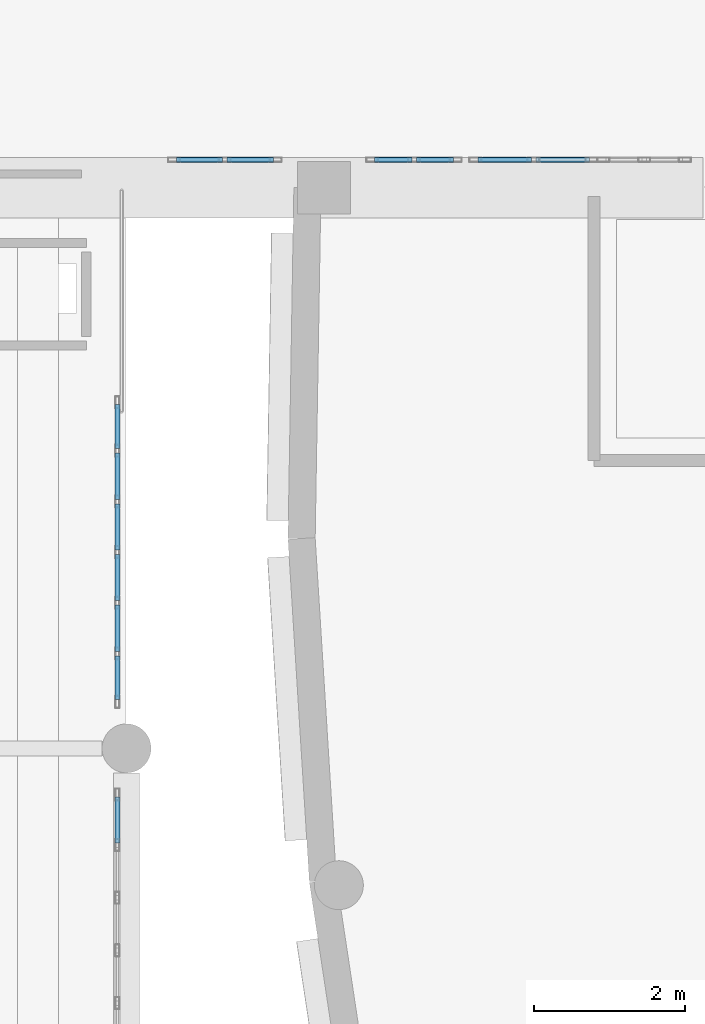
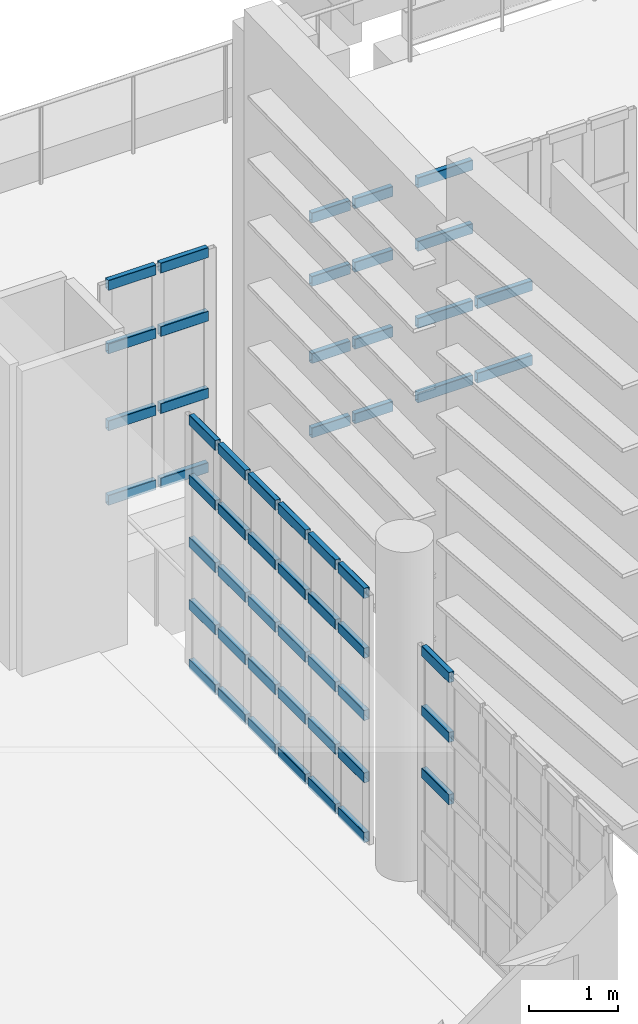
# One storey, part 37 of 73: 55 members, 5 elements without a shape of their own.
"""IFC4 building model written with IfcOpenShell, lengths in metres."""

from ifc_helpers import new_model, si_unit, direction, frame, origin, origin_2d, place, context, subcontext, project, spatial, hollow_rectangle, extrude, material, material_profile, profile_set, type_object, element, aggregate, save


model = new_model("IFC4")

# Units and contexts
model_context = context("Model", 3, precision=1e-05, world=origin(), true_north=direction((0.0, 1.0)))
body_context = subcontext(model_context, "Body", "Model", "MODEL_VIEW")
ifc_project = project(units=[si_unit("LENGTHUNIT", "METRE"), si_unit("AREAUNIT", "SQUARE_METRE"), si_unit("VOLUMEUNIT", "CUBIC_METRE"), si_unit("PLANEANGLEUNIT", "RADIAN"), si_unit("MASSUNIT", "GRAM", prefix="KILO")], contexts=[model_context])

# Site, building, storey
site_placement = place(None, origin())
site = spatial("IfcSite", under=ifc_project, at=site_placement, CompositionType="ELEMENT")
building_placement = place(site_placement, origin())
building = spatial("IfcBuilding", under=site, at=building_placement, Name="Kaelora Sail Theatre", CompositionType="ELEMENT")
storey_placement = place(building_placement, frame((0.0, 0.0, 10.199951171875)))
storey = spatial("IfcBuildingStorey", under=building, at=storey_placement, Name="L02", CompositionType="ELEMENT", Elevation=10.199951171875)

# Curtain wall, members
ifc_material_1 = material(Name="Anodised aluminium and solar-control low-E IGU", Category="aluminium")
curtain_wall_type = type_object("IfcCurtainWallType", Name="ARC-CW-CW-BRG", PredefinedType="NOTDEFINED", material=ifc_material_1)
curtain_wall_1_placement = place(storey_placement, origin())
curtain_wall_1 = element("IfcCurtainWall", 1, at=curtain_wall_1_placement, inside=storey, type_object=curtain_wall_type, Name="West Interstitial Foyer East Glazed Return L02-01", PredefinedType="NOTDEFINED")
ifc_material_2 = material(Name="Anodised aluminium 6063-T6", Category="aluminium")
ifc_material_profile = material_profile(ifc_material_2, hollow_rectangle(XDim=0.070068359375, YDim=0.139892578125, WallThickness=0.00390625, InnerFilletRadius=0.00390625, OuterFilletRadius=0.008056640625, at=origin_2d()), Name="ALU-TRAN 70x140x4")
ifc_profile_set = profile_set([ifc_material_profile], Name="Anodised aluminium 6063-T6")
member_type = type_object("IfcMemberType", Name="ARC-MEM-TR-140", PredefinedType="USERDEFINED", material=ifc_profile_set)
member_1_placement = place(storey_placement, frame((74.280029296875, 52.325927734375, 1.70361328125), z_axis=(0.0, 1.0, 0.0), x_axis=(-1.0, 0.0, 0.0)))
member_1 = element("IfcMember", 2, at=member_1_placement, type_object=member_type, Name="CW-BRG transom 6.3", ObjectType="TRANSOM", PredefinedType="USERDEFINED", context=body_context, shape_type="SweptSolid", body=[
    extrude(hollow_rectangle(XDim=0.070068359375, YDim=0.139892578125, WallThickness=0.00390625, InnerFilletRadius=0.00390625, OuterFilletRadius=0.008056640625, at=origin_2d()), origin(), (0.0, 0.0, 1.0), 0.609130859375),
])
member_2_placement = place(storey_placement, frame((74.280029296875, 52.325927734375, 2.555419921875), z_axis=(0.0, 1.0, 0.0), x_axis=(-1.0, 0.0, 0.0)))
member_2 = element("IfcMember", 3, at=member_2_placement, type_object=member_type, Name="CW-BRG transom 6.4", ObjectType="TRANSOM", PredefinedType="USERDEFINED", context=body_context, shape_type="SweptSolid", body=[
    extrude(hollow_rectangle(XDim=0.070068359375, YDim=0.139892578125, WallThickness=0.00390625, InnerFilletRadius=0.00390625, OuterFilletRadius=0.008056640625, at=origin_2d()), origin(), (0.0, 0.0, 1.0), 0.609130859375),
])
member_3_placement = place(storey_placement, frame((74.280029296875, 52.325927734375, 3.3720703125), z_axis=(0.0, 1.0, 0.0), x_axis=(-1.0, 0.0, 0.0)))
member_3 = element("IfcMember", 4, at=member_3_placement, type_object=member_type, Name="CW-BRG transom 6.5", ObjectType="TRANSOM", PredefinedType="USERDEFINED", context=body_context, shape_type="SweptSolid", body=[
    extrude(hollow_rectangle(XDim=0.070068359375, YDim=0.139892578125, WallThickness=0.00390625, InnerFilletRadius=0.00390625, OuterFilletRadius=0.008056640625, at=origin_2d()), origin(), (0.0, 0.0, 1.0), 0.609130859375),
])
aggregate(curtain_wall_1, [member_1, member_2, member_3])

curtain_wall_2_placement = place(storey_placement, origin())
curtain_wall_2 = element("IfcCurtainWall", 5, at=curtain_wall_2_placement, inside=storey, type_object=curtain_wall_type, Name="West Interstitial Foyer East Glazed Return L02-02", PredefinedType="NOTDEFINED")
member_4_placement = place(storey_placement, frame((74.280029296875, 54.22509765625, 0.03515625), z_axis=(0.0, 1.0, 0.0), x_axis=(-1.0, 0.0, 0.0)))
member_4 = element("IfcMember", 6, at=member_4_placement, type_object=member_type, Name="CW-BRG transom 1.1", ObjectType="TRANSOM", PredefinedType="USERDEFINED", context=body_context, shape_type="SweptSolid", body=[
    extrude(hollow_rectangle(XDim=0.070068359375, YDim=0.139892578125, WallThickness=0.00390625, InnerFilletRadius=0.00390625, OuterFilletRadius=0.008056640625, at=origin_2d()), origin(), (0.0, 0.0, 1.0), 0.58251953125),
])
member_5_placement = place(storey_placement, frame((74.280029296875, 54.22509765625, 0.851806640625), z_axis=(0.0, 1.0, 0.0), x_axis=(-1.0, 0.0, 0.0)))
member_5 = element("IfcMember", 7, at=member_5_placement, type_object=member_type, Name="CW-BRG transom 1.2", ObjectType="TRANSOM", PredefinedType="USERDEFINED", context=body_context, shape_type="SweptSolid", body=[
    extrude(hollow_rectangle(XDim=0.070068359375, YDim=0.139892578125, WallThickness=0.00390625, InnerFilletRadius=0.00390625, OuterFilletRadius=0.008056640625, at=origin_2d()), origin(), (0.0, 0.0, 1.0), 0.58251953125),
])
member_6_placement = place(storey_placement, frame((74.280029296875, 54.22509765625, 1.70361328125), z_axis=(0.0, 1.0, 0.0), x_axis=(-1.0, 0.0, 0.0)))
member_6 = element("IfcMember", 8, at=member_6_placement, type_object=member_type, Name="CW-BRG transom 1.3", ObjectType="TRANSOM", PredefinedType="USERDEFINED", context=body_context, shape_type="SweptSolid", body=[
    extrude(hollow_rectangle(XDim=0.070068359375, YDim=0.139892578125, WallThickness=0.00390625, InnerFilletRadius=0.00390625, OuterFilletRadius=0.008056640625, at=origin_2d()), origin(), (0.0, 0.0, 1.0), 0.58251953125),
])
member_7_placement = place(storey_placement, frame((74.280029296875, 54.22509765625, 2.555419921875), z_axis=(0.0, 1.0, 0.0), x_axis=(-1.0, 0.0, 0.0)))
member_7 = element("IfcMember", 9, at=member_7_placement, type_object=member_type, Name="CW-BRG transom 1.4", ObjectType="TRANSOM", PredefinedType="USERDEFINED", context=body_context, shape_type="SweptSolid", body=[
    extrude(hollow_rectangle(XDim=0.070068359375, YDim=0.139892578125, WallThickness=0.00390625, InnerFilletRadius=0.00390625, OuterFilletRadius=0.008056640625, at=origin_2d()), origin(), (0.0, 0.0, 1.0), 0.58251953125),
])
member_8_placement = place(storey_placement, frame((74.280029296875, 54.22509765625, 3.3720703125), z_axis=(0.0, 1.0, 0.0), x_axis=(-1.0, 0.0, 0.0)))
member_8 = element("IfcMember", 10, at=member_8_placement, type_object=member_type, Name="CW-BRG transom 1.5", ObjectType="TRANSOM", PredefinedType="USERDEFINED", context=body_context, shape_type="SweptSolid", body=[
    extrude(hollow_rectangle(XDim=0.070068359375, YDim=0.139892578125, WallThickness=0.00390625, InnerFilletRadius=0.00390625, OuterFilletRadius=0.008056640625, at=origin_2d()), origin(), (0.0, 0.0, 1.0), 0.58251953125),
])
member_9_placement = place(storey_placement, frame((74.280029296875, 54.867431640625, 0.03515625), z_axis=(0.0, 1.0, 0.0), x_axis=(-1.0, 0.0, 0.0)))
member_9 = element("IfcMember", 11, at=member_9_placement, type_object=member_type, Name="CW-BRG transom 2.1", ObjectType="TRANSOM", PredefinedType="USERDEFINED", context=body_context, shape_type="SweptSolid", body=[
    extrude(hollow_rectangle(XDim=0.070068359375, YDim=0.139892578125, WallThickness=0.00390625, InnerFilletRadius=0.00390625, OuterFilletRadius=0.008056640625, at=origin_2d()), origin(), (0.0, 0.0, 1.0), 0.612548828125),
])
member_10_placement = place(storey_placement, frame((74.280029296875, 54.867431640625, 0.851806640625), z_axis=(0.0, 1.0, 0.0), x_axis=(-1.0, 0.0, 0.0)))
member_10 = element("IfcMember", 12, at=member_10_placement, type_object=member_type, Name="CW-BRG transom 2.2", ObjectType="TRANSOM", PredefinedType="USERDEFINED", context=body_context, shape_type="SweptSolid", body=[
    extrude(hollow_rectangle(XDim=0.070068359375, YDim=0.139892578125, WallThickness=0.00390625, InnerFilletRadius=0.00390625, OuterFilletRadius=0.008056640625, at=origin_2d()), origin(), (0.0, 0.0, 1.0), 0.612548828125),
])
member_11_placement = place(storey_placement, frame((74.280029296875, 54.867431640625, 1.70361328125), z_axis=(0.0, 1.0, 0.0), x_axis=(-1.0, 0.0, 0.0)))
member_11 = element("IfcMember", 13, at=member_11_placement, type_object=member_type, Name="CW-BRG transom 2.3", ObjectType="TRANSOM", PredefinedType="USERDEFINED", context=body_context, shape_type="SweptSolid", body=[
    extrude(hollow_rectangle(XDim=0.070068359375, YDim=0.139892578125, WallThickness=0.00390625, InnerFilletRadius=0.00390625, OuterFilletRadius=0.008056640625, at=origin_2d()), origin(), (0.0, 0.0, 1.0), 0.612548828125),
])
member_12_placement = place(storey_placement, frame((74.280029296875, 54.867431640625, 2.555419921875), z_axis=(0.0, 1.0, 0.0), x_axis=(-1.0, 0.0, 0.0)))
member_12 = element("IfcMember", 14, at=member_12_placement, type_object=member_type, Name="CW-BRG transom 2.4", ObjectType="TRANSOM", PredefinedType="USERDEFINED", context=body_context, shape_type="SweptSolid", body=[
    extrude(hollow_rectangle(XDim=0.070068359375, YDim=0.139892578125, WallThickness=0.00390625, InnerFilletRadius=0.00390625, OuterFilletRadius=0.008056640625, at=origin_2d()), origin(), (0.0, 0.0, 1.0), 0.612548828125),
])
member_13_placement = place(storey_placement, frame((74.280029296875, 54.867431640625, 3.3720703125), z_axis=(0.0, 1.0, 0.0), x_axis=(-1.0, 0.0, 0.0)))
member_13 = element("IfcMember", 15, at=member_13_placement, type_object=member_type, Name="CW-BRG transom 2.5", ObjectType="TRANSOM", PredefinedType="USERDEFINED", context=body_context, shape_type="SweptSolid", body=[
    extrude(hollow_rectangle(XDim=0.070068359375, YDim=0.139892578125, WallThickness=0.00390625, InnerFilletRadius=0.00390625, OuterFilletRadius=0.008056640625, at=origin_2d()), origin(), (0.0, 0.0, 1.0), 0.612548828125),
])
member_14_placement = place(storey_placement, frame((74.280029296875, 55.5400390625, 0.03515625), z_axis=(0.0, 1.0, 0.0), x_axis=(-1.0, 0.0, 0.0)))
member_14 = element("IfcMember", 16, at=member_14_placement, type_object=member_type, Name="CW-BRG transom 3.1", ObjectType="TRANSOM", PredefinedType="USERDEFINED", context=body_context, shape_type="SweptSolid", body=[
    extrude(hollow_rectangle(XDim=0.070068359375, YDim=0.139892578125, WallThickness=0.00390625, InnerFilletRadius=0.00390625, OuterFilletRadius=0.008056640625, at=origin_2d()), origin(), (0.0, 0.0, 1.0), 0.612548828125),
])
member_15_placement = place(storey_placement, frame((74.280029296875, 55.5400390625, 0.851806640625), z_axis=(0.0, 1.0, 0.0), x_axis=(-1.0, 0.0, 0.0)))
member_15 = element("IfcMember", 17, at=member_15_placement, type_object=member_type, Name="CW-BRG transom 3.2", ObjectType="TRANSOM", PredefinedType="USERDEFINED", context=body_context, shape_type="SweptSolid", body=[
    extrude(hollow_rectangle(XDim=0.070068359375, YDim=0.139892578125, WallThickness=0.00390625, InnerFilletRadius=0.00390625, OuterFilletRadius=0.008056640625, at=origin_2d()), origin(), (0.0, 0.0, 1.0), 0.612548828125),
])
member_16_placement = place(storey_placement, frame((74.280029296875, 55.5400390625, 1.70361328125), z_axis=(0.0, 1.0, 0.0), x_axis=(-1.0, 0.0, 0.0)))
member_16 = element("IfcMember", 18, at=member_16_placement, type_object=member_type, Name="CW-BRG transom 3.3", ObjectType="TRANSOM", PredefinedType="USERDEFINED", context=body_context, shape_type="SweptSolid", body=[
    extrude(hollow_rectangle(XDim=0.070068359375, YDim=0.139892578125, WallThickness=0.00390625, InnerFilletRadius=0.00390625, OuterFilletRadius=0.008056640625, at=origin_2d()), origin(), (0.0, 0.0, 1.0), 0.612548828125),
])
member_17_placement = place(storey_placement, frame((74.280029296875, 55.5400390625, 2.555419921875), z_axis=(0.0, 1.0, 0.0), x_axis=(-1.0, 0.0, 0.0)))
member_17 = element("IfcMember", 19, at=member_17_placement, type_object=member_type, Name="CW-BRG transom 3.4", ObjectType="TRANSOM", PredefinedType="USERDEFINED", context=body_context, shape_type="SweptSolid", body=[
    extrude(hollow_rectangle(XDim=0.070068359375, YDim=0.139892578125, WallThickness=0.00390625, InnerFilletRadius=0.00390625, OuterFilletRadius=0.008056640625, at=origin_2d()), origin(), (0.0, 0.0, 1.0), 0.612548828125),
])
member_18_placement = place(storey_placement, frame((74.280029296875, 55.5400390625, 3.3720703125), z_axis=(0.0, 1.0, 0.0), x_axis=(-1.0, 0.0, 0.0)))
member_18 = element("IfcMember", 20, at=member_18_placement, type_object=member_type, Name="CW-BRG transom 3.5", ObjectType="TRANSOM", PredefinedType="USERDEFINED", context=body_context, shape_type="SweptSolid", body=[
    extrude(hollow_rectangle(XDim=0.070068359375, YDim=0.139892578125, WallThickness=0.00390625, InnerFilletRadius=0.00390625, OuterFilletRadius=0.008056640625, at=origin_2d()), origin(), (0.0, 0.0, 1.0), 0.612548828125),
])
member_19_placement = place(storey_placement, frame((74.280029296875, 56.21240234375, 0.03515625), z_axis=(0.0, 1.0, 0.0), x_axis=(-1.0, 0.0, 0.0)))
member_19 = element("IfcMember", 21, at=member_19_placement, type_object=member_type, Name="CW-BRG transom 4.1", ObjectType="TRANSOM", PredefinedType="USERDEFINED", context=body_context, shape_type="SweptSolid", body=[
    extrude(hollow_rectangle(XDim=0.070068359375, YDim=0.139892578125, WallThickness=0.00390625, InnerFilletRadius=0.00390625, OuterFilletRadius=0.008056640625, at=origin_2d()), origin(), (0.0, 0.0, 1.0), 0.612548828125),
])
member_20_placement = place(storey_placement, frame((74.280029296875, 56.21240234375, 0.851806640625), z_axis=(0.0, 1.0, 0.0), x_axis=(-1.0, 0.0, 0.0)))
member_20 = element("IfcMember", 22, at=member_20_placement, type_object=member_type, Name="CW-BRG transom 4.2", ObjectType="TRANSOM", PredefinedType="USERDEFINED", context=body_context, shape_type="SweptSolid", body=[
    extrude(hollow_rectangle(XDim=0.070068359375, YDim=0.139892578125, WallThickness=0.00390625, InnerFilletRadius=0.00390625, OuterFilletRadius=0.008056640625, at=origin_2d()), origin(), (0.0, 0.0, 1.0), 0.612548828125),
])
member_21_placement = place(storey_placement, frame((74.280029296875, 56.21240234375, 1.70361328125), z_axis=(0.0, 1.0, 0.0), x_axis=(-1.0, 0.0, 0.0)))
member_21 = element("IfcMember", 23, at=member_21_placement, type_object=member_type, Name="CW-BRG transom 4.3", ObjectType="TRANSOM", PredefinedType="USERDEFINED", context=body_context, shape_type="SweptSolid", body=[
    extrude(hollow_rectangle(XDim=0.070068359375, YDim=0.139892578125, WallThickness=0.00390625, InnerFilletRadius=0.00390625, OuterFilletRadius=0.008056640625, at=origin_2d()), origin(), (0.0, 0.0, 1.0), 0.612548828125),
])
member_22_placement = place(storey_placement, frame((74.280029296875, 56.21240234375, 2.555419921875), z_axis=(0.0, 1.0, 0.0), x_axis=(-1.0, 0.0, 0.0)))
member_22 = element("IfcMember", 24, at=member_22_placement, type_object=member_type, Name="CW-BRG transom 4.4", ObjectType="TRANSOM", PredefinedType="USERDEFINED", context=body_context, shape_type="SweptSolid", body=[
    extrude(hollow_rectangle(XDim=0.070068359375, YDim=0.139892578125, WallThickness=0.00390625, InnerFilletRadius=0.00390625, OuterFilletRadius=0.008056640625, at=origin_2d()), origin(), (0.0, 0.0, 1.0), 0.612548828125),
])
member_23_placement = place(storey_placement, frame((74.280029296875, 56.21240234375, 3.3720703125), z_axis=(0.0, 1.0, 0.0), x_axis=(-1.0, 0.0, 0.0)))
member_23 = element("IfcMember", 25, at=member_23_placement, type_object=member_type, Name="CW-BRG transom 4.5", ObjectType="TRANSOM", PredefinedType="USERDEFINED", context=body_context, shape_type="SweptSolid", body=[
    extrude(hollow_rectangle(XDim=0.070068359375, YDim=0.139892578125, WallThickness=0.00390625, InnerFilletRadius=0.00390625, OuterFilletRadius=0.008056640625, at=origin_2d()), origin(), (0.0, 0.0, 1.0), 0.612548828125),
])
member_24_placement = place(storey_placement, frame((74.280029296875, 56.885009765625, 0.03515625), z_axis=(0.0, 1.0, 0.0), x_axis=(-1.0, 0.0, 0.0)))
member_24 = element("IfcMember", 26, at=member_24_placement, type_object=member_type, Name="CW-BRG transom 5.1", ObjectType="TRANSOM", PredefinedType="USERDEFINED", context=body_context, shape_type="SweptSolid", body=[
    extrude(hollow_rectangle(XDim=0.070068359375, YDim=0.139892578125, WallThickness=0.00390625, InnerFilletRadius=0.00390625, OuterFilletRadius=0.008056640625, at=origin_2d()), origin(), (0.0, 0.0, 1.0), 0.612548828125),
])
member_25_placement = place(storey_placement, frame((74.280029296875, 56.885009765625, 0.851806640625), z_axis=(0.0, 1.0, 0.0), x_axis=(-1.0, 0.0, 0.0)))
member_25 = element("IfcMember", 27, at=member_25_placement, type_object=member_type, Name="CW-BRG transom 5.2", ObjectType="TRANSOM", PredefinedType="USERDEFINED", context=body_context, shape_type="SweptSolid", body=[
    extrude(hollow_rectangle(XDim=0.070068359375, YDim=0.139892578125, WallThickness=0.00390625, InnerFilletRadius=0.00390625, OuterFilletRadius=0.008056640625, at=origin_2d()), origin(), (0.0, 0.0, 1.0), 0.612548828125),
])
member_26_placement = place(storey_placement, frame((74.280029296875, 56.885009765625, 1.70361328125), z_axis=(0.0, 1.0, 0.0), x_axis=(-1.0, 0.0, 0.0)))
member_26 = element("IfcMember", 28, at=member_26_placement, type_object=member_type, Name="CW-BRG transom 5.3", ObjectType="TRANSOM", PredefinedType="USERDEFINED", context=body_context, shape_type="SweptSolid", body=[
    extrude(hollow_rectangle(XDim=0.070068359375, YDim=0.139892578125, WallThickness=0.00390625, InnerFilletRadius=0.00390625, OuterFilletRadius=0.008056640625, at=origin_2d()), origin(), (0.0, 0.0, 1.0), 0.612548828125),
])
member_27_placement = place(storey_placement, frame((74.280029296875, 56.885009765625, 2.555419921875), z_axis=(0.0, 1.0, 0.0), x_axis=(-1.0, 0.0, 0.0)))
member_27 = element("IfcMember", 29, at=member_27_placement, type_object=member_type, Name="CW-BRG transom 5.4", ObjectType="TRANSOM", PredefinedType="USERDEFINED", context=body_context, shape_type="SweptSolid", body=[
    extrude(hollow_rectangle(XDim=0.070068359375, YDim=0.139892578125, WallThickness=0.00390625, InnerFilletRadius=0.00390625, OuterFilletRadius=0.008056640625, at=origin_2d()), origin(), (0.0, 0.0, 1.0), 0.612548828125),
])
member_28_placement = place(storey_placement, frame((74.280029296875, 56.885009765625, 3.3720703125), z_axis=(0.0, 1.0, 0.0), x_axis=(-1.0, 0.0, 0.0)))
member_28 = element("IfcMember", 30, at=member_28_placement, type_object=member_type, Name="CW-BRG transom 5.5", ObjectType="TRANSOM", PredefinedType="USERDEFINED", context=body_context, shape_type="SweptSolid", body=[
    extrude(hollow_rectangle(XDim=0.070068359375, YDim=0.139892578125, WallThickness=0.00390625, InnerFilletRadius=0.00390625, OuterFilletRadius=0.008056640625, at=origin_2d()), origin(), (0.0, 0.0, 1.0), 0.612548828125),
])
member_29_placement = place(storey_placement, frame((74.280029296875, 57.5576171875, 0.03515625), z_axis=(0.0, 1.0, 0.0), x_axis=(-1.0, 0.0, 0.0)))
member_29 = element("IfcMember", 31, at=member_29_placement, type_object=member_type, Name="CW-BRG transom 6.1", ObjectType="TRANSOM", PredefinedType="USERDEFINED", context=body_context, shape_type="SweptSolid", body=[
    extrude(hollow_rectangle(XDim=0.070068359375, YDim=0.139892578125, WallThickness=0.00390625, InnerFilletRadius=0.00390625, OuterFilletRadius=0.008056640625, at=origin_2d()), origin(), (0.0, 0.0, 1.0), 0.582275390625),
])
member_30_placement = place(storey_placement, frame((74.280029296875, 57.5576171875, 0.851806640625), z_axis=(0.0, 1.0, 0.0), x_axis=(-1.0, 0.0, 0.0)))
member_30 = element("IfcMember", 32, at=member_30_placement, type_object=member_type, Name="CW-BRG transom 6.2", ObjectType="TRANSOM", PredefinedType="USERDEFINED", context=body_context, shape_type="SweptSolid", body=[
    extrude(hollow_rectangle(XDim=0.070068359375, YDim=0.139892578125, WallThickness=0.00390625, InnerFilletRadius=0.00390625, OuterFilletRadius=0.008056640625, at=origin_2d()), origin(), (0.0, 0.0, 1.0), 0.582275390625),
])
member_31_placement = place(storey_placement, frame((74.280029296875, 57.5576171875, 1.70361328125), z_axis=(0.0, 1.0, 0.0), x_axis=(-1.0, 0.0, 0.0)))
member_31 = element("IfcMember", 33, at=member_31_placement, type_object=member_type, Name="CW-BRG transom 6.3", ObjectType="TRANSOM", PredefinedType="USERDEFINED", context=body_context, shape_type="SweptSolid", body=[
    extrude(hollow_rectangle(XDim=0.070068359375, YDim=0.139892578125, WallThickness=0.00390625, InnerFilletRadius=0.00390625, OuterFilletRadius=0.008056640625, at=origin_2d()), origin(), (0.0, 0.0, 1.0), 0.582275390625),
])
member_32_placement = place(storey_placement, frame((74.280029296875, 57.5576171875, 2.555419921875), z_axis=(0.0, 1.0, 0.0), x_axis=(-1.0, 0.0, 0.0)))
member_32 = element("IfcMember", 34, at=member_32_placement, type_object=member_type, Name="CW-BRG transom 6.4", ObjectType="TRANSOM", PredefinedType="USERDEFINED", context=body_context, shape_type="SweptSolid", body=[
    extrude(hollow_rectangle(XDim=0.070068359375, YDim=0.139892578125, WallThickness=0.00390625, InnerFilletRadius=0.00390625, OuterFilletRadius=0.008056640625, at=origin_2d()), origin(), (0.0, 0.0, 1.0), 0.582275390625),
])
member_33_placement = place(storey_placement, frame((74.280029296875, 57.5576171875, 3.3720703125), z_axis=(0.0, 1.0, 0.0), x_axis=(-1.0, 0.0, 0.0)))
member_33 = element("IfcMember", 35, at=member_33_placement, type_object=member_type, Name="CW-BRG transom 6.5", ObjectType="TRANSOM", PredefinedType="USERDEFINED", context=body_context, shape_type="SweptSolid", body=[
    extrude(hollow_rectangle(XDim=0.070068359375, YDim=0.139892578125, WallThickness=0.00390625, InnerFilletRadius=0.00390625, OuterFilletRadius=0.008056640625, at=origin_2d()), origin(), (0.0, 0.0, 1.0), 0.582275390625),
])
aggregate(curtain_wall_2, [member_4, member_5, member_6, member_7, member_8, member_9, member_10, member_11, member_12, member_13, member_14, member_15, member_16, member_17, member_18, member_19, member_20, member_21, member_22, member_23, member_24, member_25, member_26, member_27, member_28, member_29, member_30, member_31, member_32, member_33])

curtain_wall_3_placement = place(storey_placement, origin())
curtain_wall_3 = element("IfcCurtainWall", 36, at=curtain_wall_3_placement, inside=storey, type_object=curtain_wall_type, Name="Glazed Foyer/Conservatory Curtain Wall FC1-S-L02-01", PredefinedType="NOTDEFINED")
member_34_placement = place(storey_placement, frame((75.06005859375, 61.389892578125, 0.03515625), z_axis=(1.0, 0.0, 0.0), x_axis=(0.0, 1.0, 0.0)))
member_34 = element("IfcMember", 37, at=member_34_placement, type_object=member_type, Name="CW-BRG transom 1.1", ObjectType="TRANSOM", PredefinedType="USERDEFINED", context=body_context, shape_type="SweptSolid", body=[
    extrude(hollow_rectangle(XDim=0.070068359375, YDim=0.139892578125, WallThickness=0.00390625, InnerFilletRadius=0.00390625, OuterFilletRadius=0.008056640625, at=origin_2d()), origin(), (0.0, 0.0, 1.0), 0.614990234375),
])
member_35_placement = place(storey_placement, frame((75.06005859375, 61.389892578125, 1.052490234375), z_axis=(1.0, 0.0, 0.0), x_axis=(0.0, 1.0, 0.0)))
member_35 = element("IfcMember", 38, at=member_35_placement, type_object=member_type, Name="CW-BRG transom 1.2", ObjectType="TRANSOM", PredefinedType="USERDEFINED", context=body_context, shape_type="SweptSolid", body=[
    extrude(hollow_rectangle(XDim=0.070068359375, YDim=0.139892578125, WallThickness=0.00390625, InnerFilletRadius=0.00390625, OuterFilletRadius=0.008056640625, at=origin_2d()), origin(), (0.0, 0.0, 1.0), 0.614990234375),
])
member_36_placement = place(storey_placement, frame((75.06005859375, 61.389892578125, 2.10498046875), z_axis=(1.0, 0.0, 0.0), x_axis=(0.0, 1.0, 0.0)))
member_36 = element("IfcMember", 39, at=member_36_placement, type_object=member_type, Name="CW-BRG transom 1.3", ObjectType="TRANSOM", PredefinedType="USERDEFINED", context=body_context, shape_type="SweptSolid", body=[
    extrude(hollow_rectangle(XDim=0.070068359375, YDim=0.139892578125, WallThickness=0.00390625, InnerFilletRadius=0.00390625, OuterFilletRadius=0.008056640625, at=origin_2d()), origin(), (0.0, 0.0, 1.0), 0.614990234375),
])
member_37_placement = place(storey_placement, frame((75.06005859375, 61.389892578125, 2.97216796875), z_axis=(1.0, 0.0, 0.0), x_axis=(0.0, 1.0, 0.0)))
member_37 = element("IfcMember", 40, at=member_37_placement, type_object=member_type, Name="CW-BRG transom 1.4", ObjectType="TRANSOM", PredefinedType="USERDEFINED", context=body_context, shape_type="SweptSolid", body=[
    extrude(hollow_rectangle(XDim=0.070068359375, YDim=0.139892578125, WallThickness=0.00390625, InnerFilletRadius=0.00390625, OuterFilletRadius=0.008056640625, at=origin_2d()), origin(), (0.0, 0.0, 1.0), 0.614990234375),
])
member_38_placement = place(storey_placement, frame((75.735107421875, 61.389892578125, 0.03515625), z_axis=(1.0, 0.0, 0.0), x_axis=(0.0, 1.0, 0.0)))
member_38 = element("IfcMember", 41, at=member_38_placement, type_object=member_type, Name="CW-BRG transom 2.1", ObjectType="TRANSOM", PredefinedType="USERDEFINED", context=body_context, shape_type="SweptSolid", body=[
    extrude(hollow_rectangle(XDim=0.070068359375, YDim=0.139892578125, WallThickness=0.00390625, InnerFilletRadius=0.00390625, OuterFilletRadius=0.008056640625, at=origin_2d()), origin(), (0.0, 0.0, 1.0), 0.614990234375),
])
member_39_placement = place(storey_placement, frame((75.735107421875, 61.389892578125, 1.052490234375), z_axis=(1.0, 0.0, 0.0), x_axis=(0.0, 1.0, 0.0)))
member_39 = element("IfcMember", 42, at=member_39_placement, type_object=member_type, Name="CW-BRG transom 2.2", ObjectType="TRANSOM", PredefinedType="USERDEFINED", context=body_context, shape_type="SweptSolid", body=[
    extrude(hollow_rectangle(XDim=0.070068359375, YDim=0.139892578125, WallThickness=0.00390625, InnerFilletRadius=0.00390625, OuterFilletRadius=0.008056640625, at=origin_2d()), origin(), (0.0, 0.0, 1.0), 0.614990234375),
])
member_40_placement = place(storey_placement, frame((75.735107421875, 61.389892578125, 2.10498046875), z_axis=(1.0, 0.0, 0.0), x_axis=(0.0, 1.0, 0.0)))
member_40 = element("IfcMember", 43, at=member_40_placement, type_object=member_type, Name="CW-BRG transom 2.3", ObjectType="TRANSOM", PredefinedType="USERDEFINED", context=body_context, shape_type="SweptSolid", body=[
    extrude(hollow_rectangle(XDim=0.070068359375, YDim=0.139892578125, WallThickness=0.00390625, InnerFilletRadius=0.00390625, OuterFilletRadius=0.008056640625, at=origin_2d()), origin(), (0.0, 0.0, 1.0), 0.614990234375),
])
member_41_placement = place(storey_placement, frame((75.735107421875, 61.389892578125, 2.97216796875), z_axis=(1.0, 0.0, 0.0), x_axis=(0.0, 1.0, 0.0)))
member_41 = element("IfcMember", 44, at=member_41_placement, type_object=member_type, Name="CW-BRG transom 2.4", ObjectType="TRANSOM", PredefinedType="USERDEFINED", context=body_context, shape_type="SweptSolid", body=[
    extrude(hollow_rectangle(XDim=0.070068359375, YDim=0.139892578125, WallThickness=0.00390625, InnerFilletRadius=0.00390625, OuterFilletRadius=0.008056640625, at=origin_2d()), origin(), (0.0, 0.0, 1.0), 0.614990234375),
])
aggregate(curtain_wall_3, [member_34, member_35, member_36, member_37, member_38, member_39, member_40, member_41])

curtain_wall_4_placement = place(storey_placement, origin())
curtain_wall_4 = element("IfcCurtainWall", 45, at=curtain_wall_4_placement, inside=storey, type_object=curtain_wall_type, Name="Glazed Foyer/Conservatory Curtain Wall FC1-S-L02-02", PredefinedType="NOTDEFINED")
member_42_placement = place(storey_placement, frame((77.68994140625, 61.389892578125, 0.03515625), z_axis=(1.0, 0.0, 0.0), x_axis=(0.0, 1.0, 0.0)))
member_42 = element("IfcMember", 46, at=member_42_placement, type_object=member_type, Name="CW-BRG transom 1.1", ObjectType="TRANSOM", PredefinedType="USERDEFINED", context=body_context, shape_type="SweptSolid", body=[
    extrude(hollow_rectangle(XDim=0.070068359375, YDim=0.139892578125, WallThickness=0.00390625, InnerFilletRadius=0.00390625, OuterFilletRadius=0.008056640625, at=origin_2d()), origin(), (0.0, 0.0, 1.0), 0.4951171875),
])
member_43_placement = place(storey_placement, frame((77.68994140625, 61.389892578125, 1.052490234375), z_axis=(1.0, 0.0, 0.0), x_axis=(0.0, 1.0, 0.0)))
member_43 = element("IfcMember", 47, at=member_43_placement, type_object=member_type, Name="CW-BRG transom 1.2", ObjectType="TRANSOM", PredefinedType="USERDEFINED", context=body_context, shape_type="SweptSolid", body=[
    extrude(hollow_rectangle(XDim=0.070068359375, YDim=0.139892578125, WallThickness=0.00390625, InnerFilletRadius=0.00390625, OuterFilletRadius=0.008056640625, at=origin_2d()), origin(), (0.0, 0.0, 1.0), 0.4951171875),
])
member_44_placement = place(storey_placement, frame((77.68994140625, 61.389892578125, 2.10498046875), z_axis=(1.0, 0.0, 0.0), x_axis=(0.0, 1.0, 0.0)))
member_44 = element("IfcMember", 48, at=member_44_placement, type_object=member_type, Name="CW-BRG transom 1.3", ObjectType="TRANSOM", PredefinedType="USERDEFINED", context=body_context, shape_type="SweptSolid", body=[
    extrude(hollow_rectangle(XDim=0.070068359375, YDim=0.139892578125, WallThickness=0.00390625, InnerFilletRadius=0.00390625, OuterFilletRadius=0.008056640625, at=origin_2d()), origin(), (0.0, 0.0, 1.0), 0.4951171875),
])
member_45_placement = place(storey_placement, frame((77.68994140625, 61.389892578125, 2.97216796875), z_axis=(1.0, 0.0, 0.0), x_axis=(0.0, 1.0, 0.0)))
member_45 = element("IfcMember", 49, at=member_45_placement, type_object=member_type, Name="CW-BRG transom 1.4", ObjectType="TRANSOM", PredefinedType="USERDEFINED", context=body_context, shape_type="SweptSolid", body=[
    extrude(hollow_rectangle(XDim=0.070068359375, YDim=0.139892578125, WallThickness=0.00390625, InnerFilletRadius=0.00390625, OuterFilletRadius=0.008056640625, at=origin_2d()), origin(), (0.0, 0.0, 1.0), 0.4951171875),
])
member_46_placement = place(storey_placement, frame((78.2451171875, 61.389892578125, 0.03515625), z_axis=(1.0, 0.0, 0.0), x_axis=(0.0, 1.0, 0.0)))
member_46 = element("IfcMember", 50, at=member_46_placement, type_object=member_type, Name="CW-BRG transom 2.1", ObjectType="TRANSOM", PredefinedType="USERDEFINED", context=body_context, shape_type="SweptSolid", body=[
    extrude(hollow_rectangle(XDim=0.070068359375, YDim=0.139892578125, WallThickness=0.00390625, InnerFilletRadius=0.00390625, OuterFilletRadius=0.008056640625, at=origin_2d()), origin(), (0.0, 0.0, 1.0), 0.494873046875),
])
member_47_placement = place(storey_placement, frame((78.2451171875, 61.389892578125, 1.052490234375), z_axis=(1.0, 0.0, 0.0), x_axis=(0.0, 1.0, 0.0)))
member_47 = element("IfcMember", 51, at=member_47_placement, type_object=member_type, Name="CW-BRG transom 2.2", ObjectType="TRANSOM", PredefinedType="USERDEFINED", context=body_context, shape_type="SweptSolid", body=[
    extrude(hollow_rectangle(XDim=0.070068359375, YDim=0.139892578125, WallThickness=0.00390625, InnerFilletRadius=0.00390625, OuterFilletRadius=0.008056640625, at=origin_2d()), origin(), (0.0, 0.0, 1.0), 0.494873046875),
])
member_48_placement = place(storey_placement, frame((78.2451171875, 61.389892578125, 2.10498046875), z_axis=(1.0, 0.0, 0.0), x_axis=(0.0, 1.0, 0.0)))
member_48 = element("IfcMember", 52, at=member_48_placement, type_object=member_type, Name="CW-BRG transom 2.3", ObjectType="TRANSOM", PredefinedType="USERDEFINED", context=body_context, shape_type="SweptSolid", body=[
    extrude(hollow_rectangle(XDim=0.070068359375, YDim=0.139892578125, WallThickness=0.00390625, InnerFilletRadius=0.00390625, OuterFilletRadius=0.008056640625, at=origin_2d()), origin(), (0.0, 0.0, 1.0), 0.494873046875),
])
member_49_placement = place(storey_placement, frame((78.2451171875, 61.389892578125, 2.97216796875), z_axis=(1.0, 0.0, 0.0), x_axis=(0.0, 1.0, 0.0)))
member_49 = element("IfcMember", 53, at=member_49_placement, type_object=member_type, Name="CW-BRG transom 2.4", ObjectType="TRANSOM", PredefinedType="USERDEFINED", context=body_context, shape_type="SweptSolid", body=[
    extrude(hollow_rectangle(XDim=0.070068359375, YDim=0.139892578125, WallThickness=0.00390625, InnerFilletRadius=0.00390625, OuterFilletRadius=0.008056640625, at=origin_2d()), origin(), (0.0, 0.0, 1.0), 0.494873046875),
])
aggregate(curtain_wall_4, [member_42, member_43, member_44, member_45, member_46, member_47, member_48, member_49])

curtain_wall_5_placement = place(storey_placement, origin())
curtain_wall_5 = element("IfcCurtainWall", 54, at=curtain_wall_5_placement, inside=storey, type_object=curtain_wall_type, Name="Glazed Foyer/Conservatory Curtain Wall FC1-S-L02-03", PredefinedType="NOTDEFINED")
member_50_placement = place(storey_placement, frame((79.06005859375, 61.389892578125, 0.03515625), z_axis=(1.0, 0.0, 0.0), x_axis=(0.0, 1.0, 0.0)))
member_50 = element("IfcMember", 55, at=member_50_placement, type_object=member_type, Name="CW-BRG transom 1.1", ObjectType="TRANSOM", PredefinedType="USERDEFINED", context=body_context, shape_type="SweptSolid", body=[
    extrude(hollow_rectangle(XDim=0.070068359375, YDim=0.139892578125, WallThickness=0.00390625, InnerFilletRadius=0.00390625, OuterFilletRadius=0.008056640625, at=origin_2d()), origin(), (0.0, 0.0, 1.0), 0.7099609375),
])
member_51_placement = place(storey_placement, frame((79.06005859375, 61.389892578125, 1.052490234375), z_axis=(1.0, 0.0, 0.0), x_axis=(0.0, 1.0, 0.0)))
member_51 = element("IfcMember", 56, at=member_51_placement, type_object=member_type, Name="CW-BRG transom 1.2", ObjectType="TRANSOM", PredefinedType="USERDEFINED", context=body_context, shape_type="SweptSolid", body=[
    extrude(hollow_rectangle(XDim=0.070068359375, YDim=0.139892578125, WallThickness=0.00390625, InnerFilletRadius=0.00390625, OuterFilletRadius=0.008056640625, at=origin_2d()), origin(), (0.0, 0.0, 1.0), 0.7099609375),
])
member_52_placement = place(storey_placement, frame((79.06005859375, 61.389892578125, 2.10498046875), z_axis=(1.0, 0.0, 0.0), x_axis=(0.0, 1.0, 0.0)))
member_52 = element("IfcMember", 57, at=member_52_placement, type_object=member_type, Name="CW-BRG transom 1.3", ObjectType="TRANSOM", PredefinedType="USERDEFINED", context=body_context, shape_type="SweptSolid", body=[
    extrude(hollow_rectangle(XDim=0.070068359375, YDim=0.139892578125, WallThickness=0.00390625, InnerFilletRadius=0.00390625, OuterFilletRadius=0.008056640625, at=origin_2d()), origin(), (0.0, 0.0, 1.0), 0.7099609375),
])
member_53_placement = place(storey_placement, frame((79.06005859375, 61.389892578125, 2.97216796875), z_axis=(1.0, 0.0, 0.0), x_axis=(0.0, 1.0, 0.0)))
member_53 = element("IfcMember", 58, at=member_53_placement, type_object=member_type, Name="CW-BRG transom 1.4", ObjectType="TRANSOM", PredefinedType="USERDEFINED", context=body_context, shape_type="SweptSolid", body=[
    extrude(hollow_rectangle(XDim=0.070068359375, YDim=0.139892578125, WallThickness=0.00390625, InnerFilletRadius=0.00390625, OuterFilletRadius=0.008056640625, at=origin_2d()), origin(), (0.0, 0.0, 1.0), 0.7099609375),
])
member_54_placement = place(storey_placement, frame((79.830078125, 61.389892578125, 0.03515625), z_axis=(1.0, 0.0, 0.0), x_axis=(0.0, 1.0, 0.0)))
member_54 = element("IfcMember", 59, at=member_54_placement, type_object=member_type, Name="CW-BRG transom 2.1", ObjectType="TRANSOM", PredefinedType="USERDEFINED", context=body_context, shape_type="SweptSolid", body=[
    extrude(hollow_rectangle(XDim=0.070068359375, YDim=0.139892578125, WallThickness=0.00390625, InnerFilletRadius=0.00390625, OuterFilletRadius=0.008056640625, at=origin_2d()), origin(), (0.0, 0.0, 1.0), 0.7099609375),
])
member_55_placement = place(storey_placement, frame((79.830078125, 61.389892578125, 1.052490234375), z_axis=(1.0, 0.0, 0.0), x_axis=(0.0, 1.0, 0.0)))
member_55 = element("IfcMember", 60, at=member_55_placement, type_object=member_type, Name="CW-BRG transom 2.2", ObjectType="TRANSOM", PredefinedType="USERDEFINED", context=body_context, shape_type="SweptSolid", body=[
    extrude(hollow_rectangle(XDim=0.070068359375, YDim=0.139892578125, WallThickness=0.00390625, InnerFilletRadius=0.00390625, OuterFilletRadius=0.008056640625, at=origin_2d()), origin(), (0.0, 0.0, 1.0), 0.7099609375),
])
aggregate(curtain_wall_5, [member_50, member_51, member_52, member_53, member_54, member_55])

save(model, "model.ifc")
